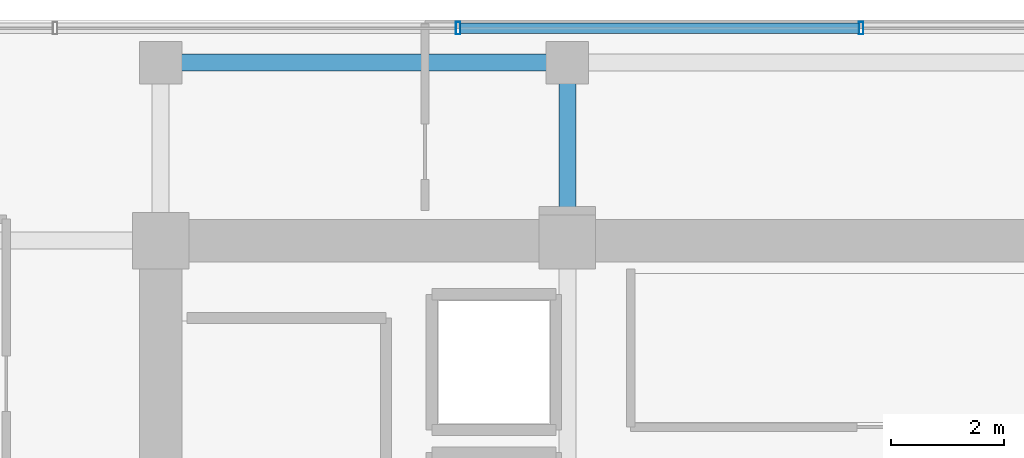
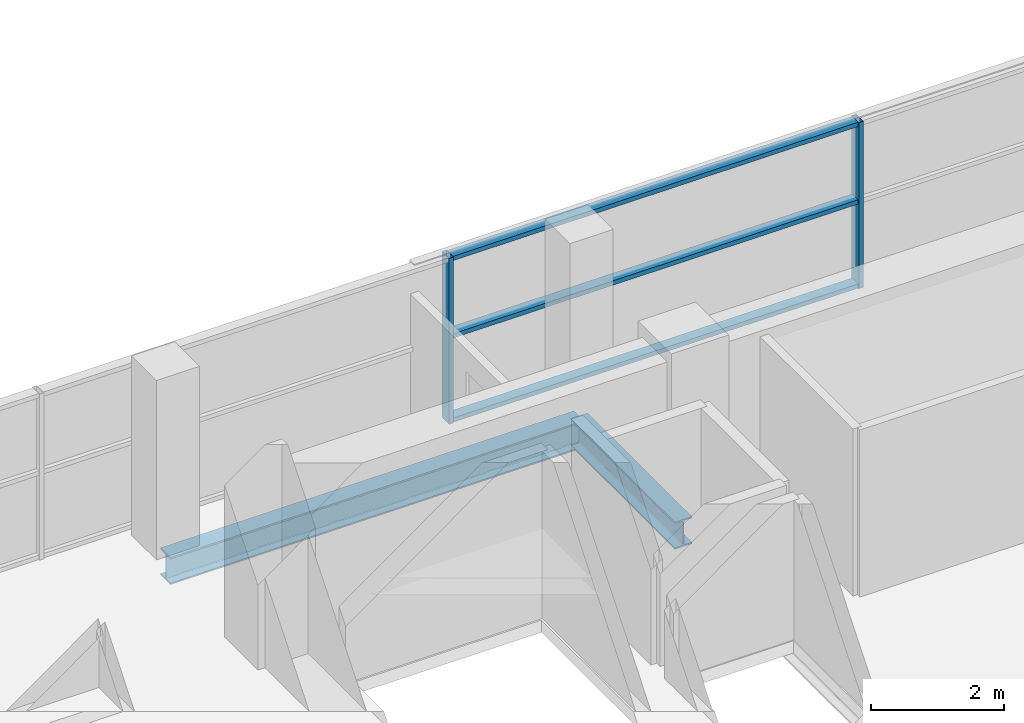
# One storey, part 14 of 25: 5 members, 2 beams, 1 element without a shape of its own.
"""IFC4 building model written with IfcOpenShell, lengths in metres."""

from ifc_helpers import new_model, si_unit, direction, frame, origin, origin_2d, place, context, subcontext, project, spatial, hollow_rectangle, i_section, extrude, source, transform, mapped, material, layer, layer_set, material_profile, profile_set, type_object, element, aggregate, save


model = new_model("IFC4")

# Units and contexts
model_context = context("Model", 3, precision=1e-05, world=origin(), true_north=direction((0.0, 1.0)))
body_context = subcontext(model_context, "Body", "Model", "MODEL_VIEW")
ifc_project = project(units=[si_unit("LENGTHUNIT", "METRE"), si_unit("AREAUNIT", "SQUARE_METRE"), si_unit("VOLUMEUNIT", "CUBIC_METRE"), si_unit("PLANEANGLEUNIT", "RADIAN"), si_unit("MASSUNIT", "GRAM", prefix="KILO")], contexts=[model_context])

# Site, building, storey
site_placement = place(None, origin())
site = spatial("IfcSite", under=ifc_project, at=site_placement, CompositionType="ELEMENT")
building_placement = place(site_placement, origin())
building = spatial("IfcBuilding", under=site, at=building_placement, Name="Zarnakvel Exchange Tower", CompositionType="ELEMENT")
storey_placement = place(building_placement, frame((0.0, 0.0, 162.699951171875)))
storey = spatial("IfcBuildingStorey", under=building, at=storey_placement, Name="L45", CompositionType="ELEMENT", Elevation=162.699951171875)

# Beams
ifc_material_1 = material(Name="Steel S355", Category="steel")
ifc_material_profile_1 = material_profile(ifc_material_1, i_section(OverallWidth=0.300048828125, OverallDepth=0.5, WebThickness=0.014404296875, FlangeThickness=0.028076171875, FilletRadius=0.027099609375, at=origin_2d()))
ifc_profile_set_1 = profile_set([ifc_material_profile_1], Name="Steel S355")
beam_type_1 = type_object("IfcBeamType", Name="G-06", PredefinedType="BEAM", material=ifc_profile_set_1)
beam_1_placement = place(storey_placement, frame((-7.199951171875, 13.5, -0.474853515625), z_axis=(0.0, 1.0, 0.0), x_axis=(-1.0, 0.0, 0.0)))
element("IfcBeam", 1, at=beam_1_placement, inside=storey, type_object=beam_type_1, Name="L45 Tower N-S Frame Beam", PredefinedType="BEAM", context=body_context, shape_type="SweptSolid", body=[
    extrude(i_section(OverallWidth=0.300048828125, OverallDepth=0.5, WebThickness=0.014404296875, FlangeThickness=0.028076171875, FilletRadius=0.027099609375, at=origin_2d()), origin(), (0.0, 0.0, 1.0), 3.14990234375),
])
ifc_material_profile_2 = material_profile(ifc_material_1, i_section(OverallWidth=0.300048828125, OverallDepth=0.5, WebThickness=0.014404296875, FlangeThickness=0.028076171875, FilletRadius=0.027099609375, at=origin_2d()))
ifc_profile_set_2 = profile_set([ifc_material_profile_2], Name="Steel S355")
beam_type_2 = type_object("IfcBeamType", Name="SP-02", PredefinedType="SPANDREL", material=ifc_profile_set_2)
beam_2_placement = place(storey_placement, frame((-14.39990234375, 16.64990234375, -0.474853515625), z_axis=(1.0, 0.0, 0.0), x_axis=(0.0, 1.0, 0.0)))
element("IfcBeam", 2, at=beam_2_placement, inside=storey, type_object=beam_type_2, Name="L45 Tower E-W Frame Beam", PredefinedType="SPANDREL", context=body_context, shape_type="SweptSolid", body=[
    extrude(i_section(OverallWidth=0.300048828125, OverallDepth=0.5, WebThickness=0.014404296875, FlangeThickness=0.028076171875, FilletRadius=0.027099609375, at=origin_2d()), origin(), (0.0, 0.0, 1.0), 7.199951171875),
])

# Curtain wall, members
ifc_material_2 = material(Name="Architectural Bronze Anodised Aluminium", Category="aluminium")
ifc_layer = layer(ifc_material_2, 0.219970703125)
ifc_layer_set = layer_set([ifc_layer], Name="Architectural Bronze Anodised Aluminium")
curtain_wall_type = type_object("IfcCurtainWallType", Name="CW-03", PredefinedType="NOTDEFINED", material=ifc_layer_set)
curtain_wall_placement = place(storey_placement, origin())
curtain_wall = element("IfcCurtainWall", 3, at=curtain_wall_placement, inside=storey, type_object=curtain_wall_type, Name="L45 Curtain Wall CW-L45-N1 (CW-03)", PredefinedType="NOTDEFINED")
ifc_material_profile_3 = material_profile(ifc_material_2, hollow_rectangle(XDim=0.219970703125, YDim=0.080078125, WallThickness=0.0048828125, at=origin_2d()))
ifc_profile_set_3 = profile_set([ifc_material_profile_3], Name="Architectural Bronze Anodised Aluminium")
member_type_1 = type_object("IfcMemberType", Name="CWM-03", PredefinedType="MULLION", material=ifc_profile_set_3)
shared_shape_1 = source(origin(), body_context, "Body", "SweptSolid", [
    extrude(hollow_rectangle(XDim=0.219970703125, YDim=0.080078125, WallThickness=0.0048828125, at=origin_2d()), origin(), (0.0, 0.0, 1.0), 3.054931640625),
])
member_1_placement = place(storey_placement, frame((-9.13330078125, 17.260009765625, 0.0), z_axis=(0.0, 0.0, 1.0), x_axis=(0.0, 1.0, 0.0)))
member_1 = element("IfcMember", 4, at=member_1_placement, type_object=member_type_1, Name="CW-03 mullion 3", PredefinedType="MULLION", context=body_context, shape_type="MappedRepresentation", body=[
    mapped(shared_shape_1, transform((0.0, 0.0, 0.0), x_axis=(1.0, 0.0, 0.0), y_axis=(0.0, 1.0, 0.0), z_axis=(0.0, 0.0, 1.0), scale=1.0)),
])
member_2_placement = place(storey_placement, frame((-2.0, 17.260009765625, 0.0), z_axis=(0.0, 0.0, 1.0), x_axis=(0.0, 1.0, 0.0)))
member_2 = element("IfcMember", 5, at=member_2_placement, type_object=member_type_1, Name="CW-03 mullion 4", PredefinedType="MULLION", context=body_context, shape_type="MappedRepresentation", body=[
    mapped(shared_shape_1, transform((0.0, 0.0, 0.0), x_axis=(1.0, 0.0, 0.0), y_axis=(0.0, 1.0, 0.0), z_axis=(0.0, 0.0, 1.0), scale=1.0)),
])
ifc_material_profile_4 = material_profile(ifc_material_2, hollow_rectangle(XDim=0.179931640625, YDim=0.080078125, WallThickness=0.00390625, at=origin_2d()))
ifc_profile_set_4 = profile_set([ifc_material_profile_4], Name="Architectural Bronze Anodised Aluminium")
member_type_2 = type_object("IfcMemberType", Name="CWT-03", PredefinedType="USERDEFINED", material=ifc_profile_set_4)
shared_shape_2 = source(origin(), body_context, "Body", "SweptSolid", [
    extrude(hollow_rectangle(XDim=0.179931640625, YDim=0.080078125, WallThickness=0.00390625, at=origin_2d()), origin(), (0.0, 0.0, 1.0), 7.05322265625),
])
member_3_placement = place(storey_placement, frame((-9.09326171875, 17.260009765625, 0.0400390625), z_axis=(1.0, 0.0, 0.0), x_axis=(0.0, 1.0, 0.0)))
member_3 = element("IfcMember", 6, at=member_3_placement, type_object=member_type_2, Name="CW-03 transom 3.1", ObjectType="TRANSOM", PredefinedType="USERDEFINED", context=body_context, shape_type="MappedRepresentation", body=[
    mapped(shared_shape_2, transform((0.0, 0.0, 0.0), x_axis=(1.0, 0.0, 0.0), y_axis=(0.0, 1.0, 0.0), z_axis=(0.0, 0.0, 1.0), scale=1.0)),
])
member_4_placement = place(storey_placement, frame((-9.09326171875, 17.260009765625, 1.588623046875), z_axis=(1.0, 0.0, 0.0), x_axis=(0.0, 1.0, 0.0)))
member_4 = element("IfcMember", 7, at=member_4_placement, type_object=member_type_2, Name="CW-03 transom 3.2", ObjectType="TRANSOM", PredefinedType="USERDEFINED", context=body_context, shape_type="MappedRepresentation", body=[
    mapped(shared_shape_2, transform((0.0, 0.0, 0.0), x_axis=(1.0, 0.0, 0.0), y_axis=(0.0, 1.0, 0.0), z_axis=(0.0, 0.0, 1.0), scale=1.0)),
])
member_5_placement = place(storey_placement, frame((-9.09326171875, 17.260009765625, 3.01513671875), z_axis=(1.0, 0.0, 0.0), x_axis=(0.0, 1.0, 0.0)))
member_5 = element("IfcMember", 8, at=member_5_placement, type_object=member_type_2, Name="CW-03 transom 3.3", ObjectType="TRANSOM", PredefinedType="USERDEFINED", context=body_context, shape_type="MappedRepresentation", body=[
    mapped(shared_shape_2, transform((0.0, 0.0, 0.0), x_axis=(1.0, 0.0, 0.0), y_axis=(0.0, 1.0, 0.0), z_axis=(0.0, 0.0, 1.0), scale=1.0)),
])
aggregate(curtain_wall, [member_1, member_2, member_3, member_4, member_5])

save(model, "model.ifc")
